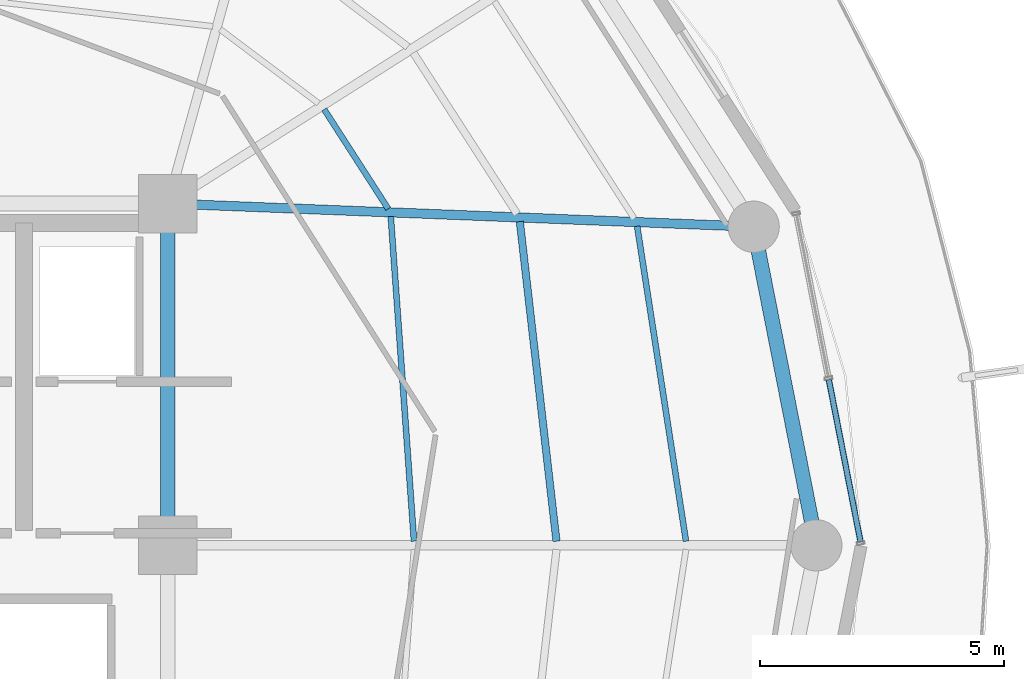
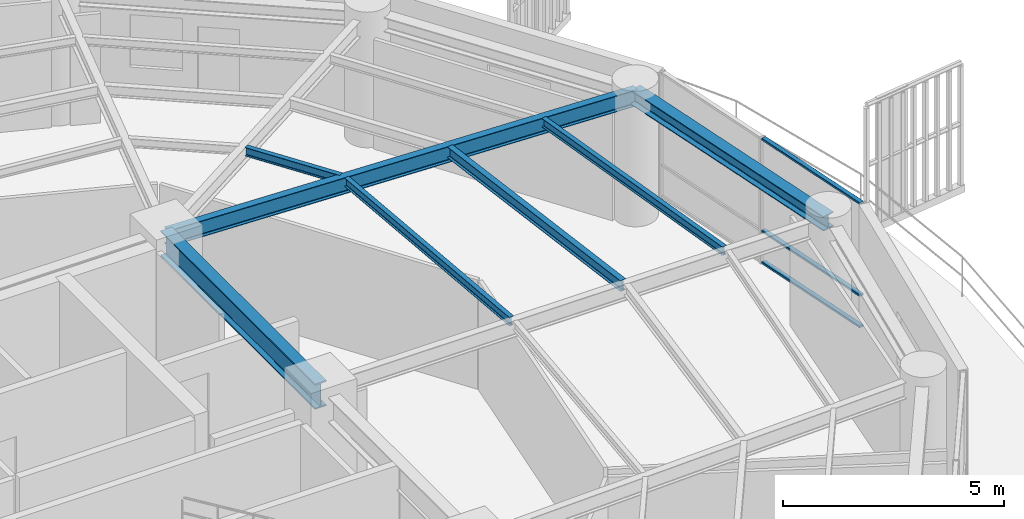
# One storey, part 14 of 30: 7 beams, 3 members, 1 element without a shape of its own.
"""IFC4 building model written with IfcOpenShell, lengths in metres."""

from ifc_helpers import new_model, si_unit, direction, frame, origin, origin_2d, place, context, subcontext, project, spatial, hollow_rectangle, i_section, extrude, material, layer, layer_set, material_profile, profile_set, type_object, element, aggregate, save


model = new_model("IFC4")

# Units and contexts
model_context = context("Model", 3, precision=1e-05, world=origin(), true_north=direction((0.0, 1.0)))
body_context = subcontext(model_context, "Body", "Model", "MODEL_VIEW")
ifc_project = project(units=[si_unit("LENGTHUNIT", "METRE"), si_unit("AREAUNIT", "SQUARE_METRE"), si_unit("VOLUMEUNIT", "CUBIC_METRE"), si_unit("PLANEANGLEUNIT", "RADIAN"), si_unit("MASSUNIT", "GRAM", prefix="KILO")], contexts=[model_context])

# Site, building, storey
site_placement = place(None, origin())
site = spatial("IfcSite", under=ifc_project, at=site_placement, CompositionType="ELEMENT")
building_placement = place(site_placement, origin())
building = spatial("IfcBuilding", under=site, at=building_placement, Name="Kelanora Arch Commons", CompositionType="ELEMENT")
storey_placement = place(building_placement, frame((0.0, 0.0, 211.949951171875)))
storey = spatial("IfcBuildingStorey", under=building, at=storey_placement, Name="L54", CompositionType="ELEMENT", Elevation=211.949951171875)

# Beams
ifc_material_1 = material(Name="Steel S355", Category="steel")
ifc_material_profile_1 = material_profile(ifc_material_1, i_section(OverallWidth=0.300048828125, OverallDepth=0.699951171875, WebThickness=0.01708984375, FlangeThickness=0.031982421875, FilletRadius=0.027099609375, at=origin_2d()), Name="HEB700")
ifc_profile_set_1 = profile_set([ifc_material_profile_1], Name="Steel S355")
beam_type_1 = type_object("IfcBeamType", Name="BM-CORE-HDR", PredefinedType="BEAM", material=ifc_profile_set_1)
beam_1_placement = place(storey_placement, frame((82.0, 58.0, 3.14013671875), z_axis=(0.0, 1.0, 0.0), x_axis=(-1.0, 0.0, 0.0)))
element("IfcBeam", 1, at=beam_1_placement, inside=storey, type_object=beam_type_1, Name="Core Header Beam 04 L54", PredefinedType="BEAM", context=body_context, shape_type="SweptSolid", body=[
    extrude(i_section(OverallWidth=0.300048828125, OverallDepth=0.699951171875, WebThickness=0.01708984375, FlangeThickness=0.031982421875, FilletRadius=0.027099609375, at=origin_2d()), origin(), (0.0, 0.0, 1.0), 7.0),
])
ifc_material_profile_2 = material_profile(ifc_material_1, i_section(OverallWidth=0.14990234375, OverallDepth=0.300048828125, WebThickness=0.007080078125, FlangeThickness=0.0107421875, FilletRadius=0.014892578125, at=origin_2d()), Name="IPE300")
ifc_profile_set_2 = profile_set([ifc_material_profile_2], Name="Steel S355")
beam_type_2 = type_object("IfcBeamType", Name="BM-JST-01", PredefinedType="JOIST", material=ifc_profile_set_2)
beam_2_placement = place(storey_placement, frame((89.958251953125, 58.08447265625, 3.340087890625), z_axis=(-0.113891408177, 0.993493204377, 0.0), x_axis=(-0.993493204377, -0.113891408177, 0.0)))
element("IfcBeam", 2, at=beam_2_placement, inside=storey, type_object=beam_type_2, Name="Secondary Chord Joist BJB-00 L54", PredefinedType="JOIST", context=body_context, shape_type="SweptSolid", body=[
    extrude(i_section(OverallWidth=0.14990234375, OverallDepth=0.300048828125, WebThickness=0.007080078125, FlangeThickness=0.0107421875, FilletRadius=0.014892578125, at=origin_2d()), origin(), (0.0, 0.0, 1.0), 6.589599609375),
])
ifc_material_profile_3 = material_profile(ifc_material_1, i_section(OverallWidth=0.1201171875, OverallDepth=0.239990234375, WebThickness=0.006103515625, FlangeThickness=0.009765625, FilletRadius=0.014892578125, at=origin_2d()), Name="IPE240")
ifc_profile_set_3 = profile_set([ifc_material_profile_3], Name="Steel S355")
beam_type_3 = type_object("IfcBeamType", Name="BM-JST-02", PredefinedType="JOIST", material=ifc_profile_set_3)
beam_3_placement = place(storey_placement, frame((87.040283203125, 58.084716796875, 3.3701171875), z_axis=(-0.07133032136, 0.997452748382, 0.0), x_axis=(-0.997452748382, -0.07133032136, 0.0)))
element("IfcBeam", 3, at=beam_3_placement, inside=storey, type_object=beam_type_3, Name="Secondary Chord Joist BJA-00 L54", PredefinedType="JOIST", context=body_context, shape_type="SweptSolid", body=[
    extrude(i_section(OverallWidth=0.1201171875, OverallDepth=0.239990234375, WebThickness=0.006103515625, FlangeThickness=0.009765625, FilletRadius=0.014892578125, at=origin_2d()), origin(), (0.0, 0.0, 1.0), 6.66748046875),
])
beam_4_placement = place(storey_placement, frame((92.611083984375, 58.083984375, 3.3701171875), z_axis=(-0.153256756152, 0.988186402808, 0.0), x_axis=(-0.988186402808, -0.153256756152, 0.0)))
element("IfcBeam", 4, at=beam_4_placement, inside=storey, type_object=beam_type_3, Name="Secondary Chord Joist BJC-00 L54", PredefinedType="JOIST", context=body_context, shape_type="SweptSolid", body=[
    extrude(i_section(OverallWidth=0.1201171875, OverallDepth=0.239990234375, WebThickness=0.006103515625, FlangeThickness=0.009765625, FilletRadius=0.014892578125, at=origin_2d()), origin(), (0.0, 0.0, 1.0), 6.52978515625),
])
beam_5_placement = place(storey_placement, frame((86.5126953125, 64.89111328125, 3.3701171875), z_axis=(-0.541332763503, 0.840808443796, 0.0), x_axis=(-0.840808443796, -0.541332763503, 0.0)))
element("IfcBeam", 5, at=beam_5_placement, inside=storey, type_object=beam_type_3, Name="Secondary Chord Joist BJA-02 L54", PredefinedType="JOIST", context=body_context, shape_type="SweptSolid", body=[
    extrude(i_section(OverallWidth=0.1201171875, OverallDepth=0.239990234375, WebThickness=0.006103515625, FlangeThickness=0.009765625, FilletRadius=0.014892578125, at=origin_2d()), origin(), (0.0, 0.0, 1.0), 2.423583984375),
])
ifc_material_profile_4 = material_profile(ifc_material_1, i_section(OverallWidth=0.18994140625, OverallDepth=0.449951171875, WebThickness=0.009521484375, FlangeThickness=0.0146484375, FilletRadius=0.02099609375, at=origin_2d()), Name="IPE450")
ifc_profile_set_4 = profile_set([ifc_material_profile_4], Name="Steel S355")
beam_type_4 = type_object("IfcBeamType", Name="BM-RAD-Z4", PredefinedType="BEAM", material=ifc_profile_set_4)
beam_6_placement = place(storey_placement, frame((82.0, 65.0, 3.26513671875), z_axis=(0.999219142585, -0.03951082246, 0.0), x_axis=(0.03951082246, 0.999219142585, 0.0)))
element("IfcBeam", 6, at=beam_6_placement, inside=storey, type_object=beam_type_4, Name="Radial Floor Girder BR-02 L54", PredefinedType="BEAM", context=body_context, shape_type="SweptSolid", body=[
    extrude(i_section(OverallWidth=0.18994140625, OverallDepth=0.449951171875, WebThickness=0.009521484375, FlangeThickness=0.0146484375, FilletRadius=0.02099609375, at=origin_2d()), origin(), (0.0, 0.0, 1.0), 12.005859375),
])
ifc_material_profile_5 = material_profile(ifc_material_1, i_section(OverallWidth=0.300048828125, OverallDepth=0.39990234375, WebThickness=0.013427734375, FlangeThickness=0.02392578125, FilletRadius=0.027099609375, at=origin_2d()), Name="HEB400")
ifc_profile_set_5 = profile_set([ifc_material_profile_5], Name="Steel S355")
beam_type_5 = type_object("IfcBeamType", Name="BM-SPN-Z4", PredefinedType="SPANDREL", material=ifc_profile_set_5)
beam_7_placement = place(storey_placement, frame((95.280029296875, 58.0, 3.2900390625), z_axis=(-0.192980724826, 0.981202547819, 0.0), x_axis=(-0.981202547819, -0.192980724826, 0.0)))
element("IfcBeam", 7, at=beam_7_placement, inside=storey, type_object=beam_type_5, Name="Perimeter Spandrel Beam BS-00 L54", PredefinedType="SPANDREL", context=body_context, shape_type="SweptSolid", body=[
    extrude(i_section(OverallWidth=0.300048828125, OverallDepth=0.39990234375, WebThickness=0.013427734375, FlangeThickness=0.02392578125, FilletRadius=0.027099609375, at=origin_2d()), origin(), (0.0, 0.0, 1.0), 6.650634765625),
])

# Curtain wall, members
ifc_material_2 = material(Name="Terracotta ceramic-fritted low-E glass and aluminium", Category="masonry")
ifc_layer = layer(ifc_material_2, 0.175048828125)
ifc_layer_set = layer_set([ifc_layer], Name="Terracotta ceramic-fritted low-E glass and aluminium")
curtain_wall_type = type_object("IfcCurtainWallType", Name="CW-SYS-02", PredefinedType="NOTDEFINED", material=ifc_layer_set)
curtain_wall_placement = place(storey_placement, origin())
curtain_wall = element("IfcCurtainWall", 8, at=curtain_wall_placement, inside=storey, type_object=curtain_wall_type, Name="Unitised Curtain Wall L54-B00", PredefinedType="NOTDEFINED")
ifc_material_3 = material(Name="Powder-coated aluminium terracotta", Category="masonry")
ifc_material_profile_6 = material_profile(ifc_material_3, hollow_rectangle(XDim=0.1201171875, YDim=0.06005859375, WallThickness=0.0048828125, InnerFilletRadius=0.0048828125, OuterFilletRadius=0.010009765625, at=origin_2d()), Name="CWT120x60")
ifc_profile_set_6 = profile_set([ifc_material_profile_6], Name="Powder-coated aluminium terracotta")
member_type = type_object("IfcMemberType", Name="CWT-STD", PredefinedType="USERDEFINED", material=ifc_profile_set_6)
member_1_placement = place(storey_placement, frame((96.185546875, 58.073486328125, 0.030029296875), z_axis=(-0.192044874899, 0.981386145218, 0.0), x_axis=(-0.981386145218, -0.192044874899, 0.0)))
member_1 = element("IfcMember", 9, at=member_1_placement, type_object=member_type, Name="CW-02 transom 1.1", ObjectType="TRANSOM", PredefinedType="USERDEFINED", context=body_context, shape_type="SweptSolid", body=[
    extrude(hollow_rectangle(XDim=0.1201171875, YDim=0.06005859375, WallThickness=0.0048828125, InnerFilletRadius=0.0048828125, OuterFilletRadius=0.010009765625, at=origin_2d()), origin(), (0.0, 0.0, 1.0), 3.38037109375),
])
member_2_placement = place(storey_placement, frame((96.185546875, 58.073486328125, 0.900146484375), z_axis=(-0.192044874899, 0.981386145218, 0.0), x_axis=(-0.981386145218, -0.192044874899, 0.0)))
member_2 = element("IfcMember", 10, at=member_2_placement, type_object=member_type, Name="CW-02 transom 1.2", ObjectType="TRANSOM", PredefinedType="USERDEFINED", context=body_context, shape_type="SweptSolid", body=[
    extrude(hollow_rectangle(XDim=0.1201171875, YDim=0.06005859375, WallThickness=0.0048828125, InnerFilletRadius=0.0048828125, OuterFilletRadius=0.010009765625, at=origin_2d()), origin(), (0.0, 0.0, 1.0), 3.38037109375),
])
member_3_placement = place(storey_placement, frame((96.185546875, 58.073486328125, 3.445068359375), z_axis=(-0.192044874899, 0.981386145218, 0.0), x_axis=(-0.981386145218, -0.192044874899, 0.0)))
member_3 = element("IfcMember", 11, at=member_3_placement, type_object=member_type, Name="CW-02 transom 1.3", ObjectType="TRANSOM", PredefinedType="USERDEFINED", context=body_context, shape_type="SweptSolid", body=[
    extrude(hollow_rectangle(XDim=0.1201171875, YDim=0.06005859375, WallThickness=0.0048828125, InnerFilletRadius=0.0048828125, OuterFilletRadius=0.010009765625, at=origin_2d()), origin(), (0.0, 0.0, 1.0), 3.38037109375),
])
aggregate(curtain_wall, [member_1, member_2, member_3])

save(model, "model.ifc")
